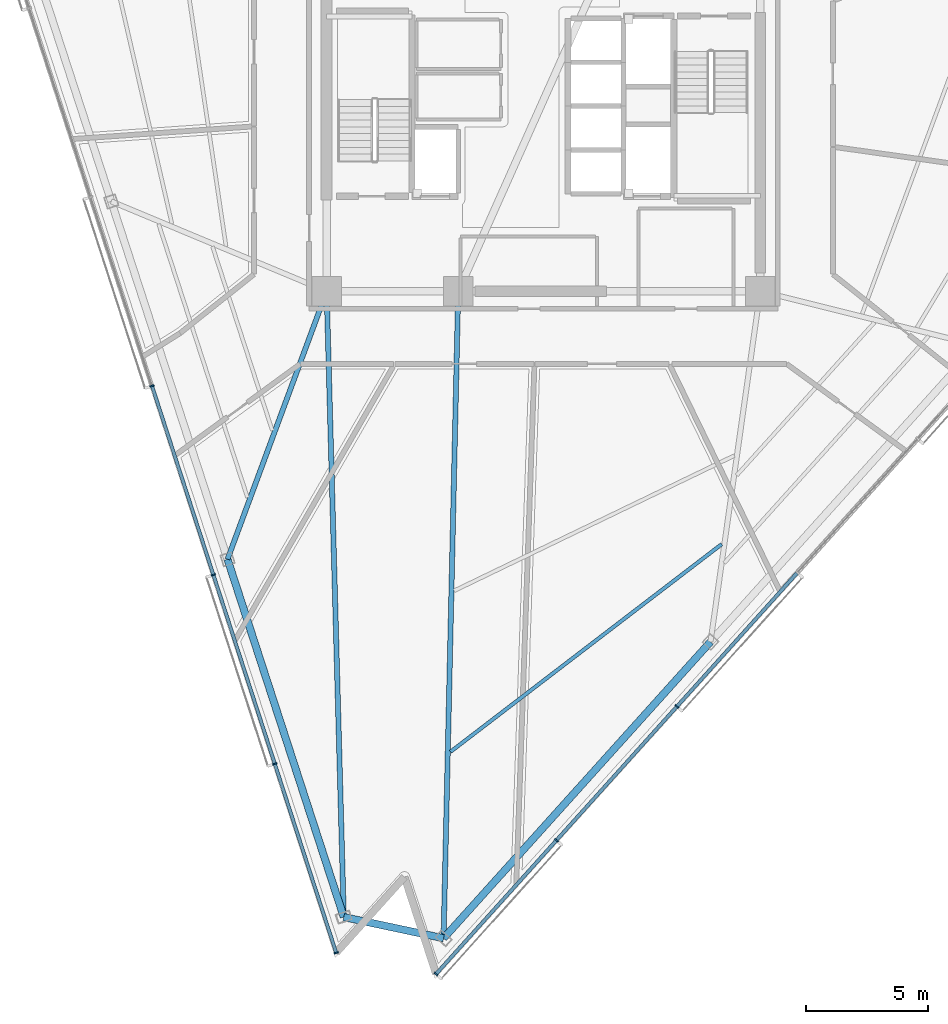
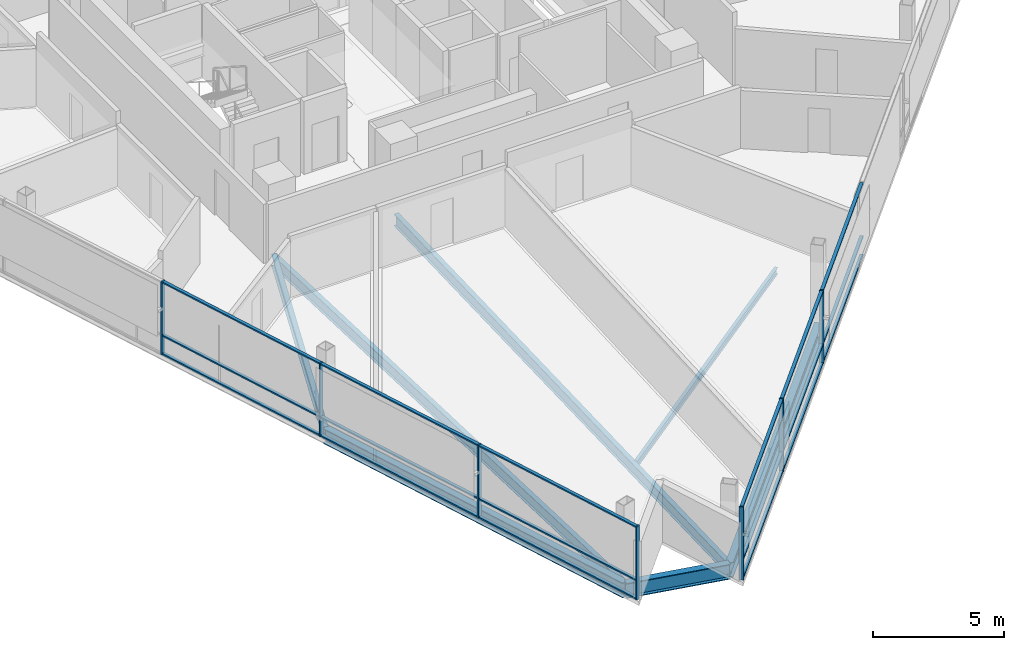
# One storey, part 2 of 17: 25 members, 7 beams, 2 elements without a shape of their own.
"""IFC4 building model written with IfcOpenShell, lengths in metres."""

from ifc_helpers import new_model, si_unit, direction, frame, origin, origin_2d, place, context, subcontext, project, spatial, rectangle, i_section, extrude, material, layer, layer_set, material_profile, profile_set, type_object, element, aggregate, save


model = new_model("IFC4")

# Units and contexts
model_context = context("Model", 3, precision=1e-05, world=origin(), true_north=direction((0.0, 1.0)))
body_context = subcontext(model_context, "Body", "Model", "MODEL_VIEW")
ifc_project = project(units=[si_unit("LENGTHUNIT", "METRE"), si_unit("AREAUNIT", "SQUARE_METRE"), si_unit("VOLUMEUNIT", "CUBIC_METRE"), si_unit("PLANEANGLEUNIT", "RADIAN"), si_unit("MASSUNIT", "GRAM", prefix="KILO")], contexts=[model_context])

# Site, building, storey
site_placement = place(None, origin())
site = spatial("IfcSite", under=ifc_project, at=site_placement, CompositionType="ELEMENT")
building_placement = place(site_placement, origin())
building = spatial("IfcBuilding", under=site, at=building_placement, Name="Tharavind Bronze Gate", CompositionType="ELEMENT")
storey_placement = place(building_placement, frame((0.0, 0.0, 214.85009765625)))
storey = spatial("IfcBuildingStorey", under=building, at=storey_placement, Name="L55", CompositionType="ELEMENT", Elevation=214.85009765625)

# Curtain wall, members
ifc_material_1 = material(Name="Anodised Bronze Aluminium", Category="aluminium")
ifc_layer = layer(ifc_material_1, 0.219970703125)
ifc_layer_set = layer_set([ifc_layer], Name="Anodised Bronze Aluminium")
curtain_wall_type = type_object("IfcCurtainWallType", Name="UNITISED CURTAIN WALL MID OFFICE", PredefinedType="USERDEFINED", material=ifc_layer_set)
curtain_wall_1_placement = place(storey_placement, origin())
curtain_wall_1 = element("IfcCurtainWall", 1, at=curtain_wall_1_placement, inside=storey, type_object=curtain_wall_type, Name="L55 unitised curtain wall mid office CW-L55-S1", ObjectType="UNITISED CURTAIN WALL", PredefinedType="USERDEFINED")
member_type_1 = type_object("IfcMemberType", Name="CURTAIN WALL BRONZE MULLION 65X180", PredefinedType="MULLION", material=ifc_material_1)
member_1_placement = place(storey_placement, frame((-16.0693359375, -11.489013671875, 0.0), z_axis=(0.0, 0.0, 1.0), x_axis=(0.309016994375, -0.951056516295, 0.0)))
member_1 = element("IfcMember", 2, at=member_1_placement, type_object=member_type_1, Name="CW-L55-S1 mullion 4", PredefinedType="MULLION", context=body_context, shape_type="SweptSolid", body=[
    extrude(rectangle(XDim=0.06494140625, YDim=0.179931640625, at=origin_2d()), origin(), (0.0, 0.0, 1.0), 3.419921875),
])
member_2_placement = place(storey_placement, frame((-13.54931640625, -19.24560546875, 0.0), z_axis=(0.0, 0.0, 1.0), x_axis=(0.309016994375, -0.951056516295, 0.0)))
member_2 = element("IfcMember", 3, at=member_2_placement, type_object=member_type_1, Name="CW-L55-S1 mullion 5", PredefinedType="MULLION", context=body_context, shape_type="SweptSolid", body=[
    extrude(rectangle(XDim=0.06494140625, YDim=0.179931640625, at=origin_2d()), origin(), (0.0, 0.0, 1.0), 3.419921875),
])
member_3_placement = place(storey_placement, frame((-11.029052734375, -27.002197265625, 0.0), z_axis=(0.0, 0.0, 1.0), x_axis=(0.309016994375, -0.951056516295, 0.0)))
member_3 = element("IfcMember", 4, at=member_3_placement, type_object=member_type_1, Name="CW-L55-S1 mullion 6", PredefinedType="MULLION", context=body_context, shape_type="SweptSolid", body=[
    extrude(rectangle(XDim=0.06494140625, YDim=0.179931640625, at=origin_2d()), origin(), (0.0, 0.0, 1.0), 3.419921875),
])
member_4_placement = place(storey_placement, frame((-8.5087890625, -34.7587890625, 0.0), z_axis=(0.0, 0.0, 1.0), x_axis=(0.309016994375, -0.951056516295, 0.0)))
member_4 = element("IfcMember", 5, at=member_4_placement, type_object=member_type_1, Name="CW-L55-S1 mullion 7", PredefinedType="MULLION", context=body_context, shape_type="SweptSolid", body=[
    extrude(rectangle(XDim=0.06494140625, YDim=0.179931640625, at=origin_2d()), origin(), (0.0, 0.0, 1.0), 3.419921875),
])

curtain_wall_2_placement = place(storey_placement, origin())
curtain_wall_2 = element("IfcCurtainWall", 6, at=curtain_wall_2_placement, inside=storey, type_object=curtain_wall_type, Name="L55 unitised curtain wall mid office CW-L55-S2", ObjectType="UNITISED CURTAIN WALL", PredefinedType="USERDEFINED")
member_5_placement = place(storey_placement, frame((-4.412109375, -35.62939453125, 0.0), z_axis=(0.0, 0.0, 1.0), x_axis=(0.669130606359, 0.743144825477, 0.0)))
member_5 = element("IfcMember", 7, at=member_5_placement, type_object=member_type_1, Name="CW-L55-S2 mullion 1", PredefinedType="MULLION", context=body_context, shape_type="SweptSolid", body=[
    extrude(rectangle(XDim=0.06494140625, YDim=0.179931640625, at=origin_2d()), origin(), (0.0, 0.0, 1.0), 3.419921875),
])
member_6_placement = place(storey_placement, frame((0.5322265625, -30.13818359375, 0.0), z_axis=(0.0, 0.0, 1.0), x_axis=(0.669130606359, 0.743144825477, 0.0)))
member_6 = element("IfcMember", 8, at=member_6_placement, type_object=member_type_1, Name="CW-L55-S2 mullion 2", PredefinedType="MULLION", context=body_context, shape_type="SweptSolid", body=[
    extrude(rectangle(XDim=0.06494140625, YDim=0.179931640625, at=origin_2d()), origin(), (0.0, 0.0, 1.0), 3.419921875),
])
member_7_placement = place(storey_placement, frame((5.476806640625, -24.646484375, 0.0), z_axis=(0.0, 0.0, 1.0), x_axis=(0.669130606359, 0.743144825477, 0.0)))
member_7 = element("IfcMember", 9, at=member_7_placement, type_object=member_type_1, Name="CW-L55-S2 mullion 3", PredefinedType="MULLION", context=body_context, shape_type="SweptSolid", body=[
    extrude(rectangle(XDim=0.06494140625, YDim=0.179931640625, at=origin_2d()), origin(), (0.0, 0.0, 1.0), 3.419921875),
])

# Member
member_type_2 = type_object("IfcMemberType", Name="CURTAIN WALL BRONZE TRANSOM 65X140", PredefinedType="USERDEFINED", material=ifc_material_1)
member_8_placement = place(storey_placement, frame((-14.809326171875, -15.367431640625, 0.0), z_axis=(0.0, 0.0, 1.0), x_axis=(0.309016994375, -0.951056516295, 0.0)))
member_8 = element("IfcMember", 10, at=member_8_placement, type_object=member_type_2, Name="CW-L55-S1 transom TB4", ObjectType="TRANSOM", PredefinedType="USERDEFINED", context=body_context, shape_type="SweptSolid", body=[
    extrude(rectangle(XDim=8.102783203125, YDim=0.139892578125, at=origin_2d()), origin(), (0.0, 0.0, 1.0), 0.06494140625),
])

member_9_placement = place(storey_placement, frame((-14.809326171875, -15.367431640625, 0.867431640625), z_axis=(0.0, 0.0, 1.0), x_axis=(0.309016994375, -0.951056516295, 0.0)))
member_9 = element("IfcMember", 11, at=member_9_placement, type_object=member_type_2, Name="CW-L55-S1 transom TS4", ObjectType="TRANSOM", PredefinedType="USERDEFINED", context=body_context, shape_type="SweptSolid", body=[
    extrude(rectangle(XDim=8.102783203125, YDim=0.139892578125, at=origin_2d()), origin(), (0.0, 0.0, 1.0), 0.06494140625),
])

member_10_placement = place(storey_placement, frame((-14.809326171875, -15.367431640625, 3.35498046875), z_axis=(0.0, 0.0, 1.0), x_axis=(0.309016994375, -0.951056516295, 0.0)))
member_10 = element("IfcMember", 12, at=member_10_placement, type_object=member_type_2, Name="CW-L55-S1 transom TT4", ObjectType="TRANSOM", PredefinedType="USERDEFINED", context=body_context, shape_type="SweptSolid", body=[
    extrude(rectangle(XDim=8.102783203125, YDim=0.139892578125, at=origin_2d()), origin(), (0.0, 0.0, 1.0), 0.06494140625),
])

member_11_placement = place(storey_placement, frame((-12.2890625, -23.123779296875, 0.0), z_axis=(0.0, 0.0, 1.0), x_axis=(0.309016994375, -0.951056516295, 0.0)))
member_11 = element("IfcMember", 13, at=member_11_placement, type_object=member_type_2, Name="CW-L55-S1 transom TB5", ObjectType="TRANSOM", PredefinedType="USERDEFINED", context=body_context, shape_type="SweptSolid", body=[
    extrude(rectangle(XDim=8.102783203125, YDim=0.139892578125, at=origin_2d()), origin(), (0.0, 0.0, 1.0), 0.06494140625),
])

member_12_placement = place(storey_placement, frame((-12.2890625, -23.123779296875, 0.867431640625), z_axis=(0.0, 0.0, 1.0), x_axis=(0.309016994375, -0.951056516295, 0.0)))
member_12 = element("IfcMember", 14, at=member_12_placement, type_object=member_type_2, Name="CW-L55-S1 transom TS5", ObjectType="TRANSOM", PredefinedType="USERDEFINED", context=body_context, shape_type="SweptSolid", body=[
    extrude(rectangle(XDim=8.102783203125, YDim=0.139892578125, at=origin_2d()), origin(), (0.0, 0.0, 1.0), 0.06494140625),
])

member_13_placement = place(storey_placement, frame((-12.2890625, -23.123779296875, 3.35498046875), z_axis=(0.0, 0.0, 1.0), x_axis=(0.309016994375, -0.951056516295, 0.0)))
member_13 = element("IfcMember", 15, at=member_13_placement, type_object=member_type_2, Name="CW-L55-S1 transom TT5", ObjectType="TRANSOM", PredefinedType="USERDEFINED", context=body_context, shape_type="SweptSolid", body=[
    extrude(rectangle(XDim=8.102783203125, YDim=0.139892578125, at=origin_2d()), origin(), (0.0, 0.0, 1.0), 0.06494140625),
])

member_14_placement = place(storey_placement, frame((-9.768798828125, -30.88037109375, 0.0), z_axis=(0.0, 0.0, 1.0), x_axis=(0.309016994375, -0.951056516295, 0.0)))
member_14 = element("IfcMember", 16, at=member_14_placement, type_object=member_type_2, Name="CW-L55-S1 transom TB6", ObjectType="TRANSOM", PredefinedType="USERDEFINED", context=body_context, shape_type="SweptSolid", body=[
    extrude(rectangle(XDim=8.102783203125, YDim=0.139892578125, at=origin_2d()), origin(), (0.0, 0.0, 1.0), 0.06494140625),
])

member_15_placement = place(storey_placement, frame((-9.768798828125, -30.88037109375, 0.867431640625), z_axis=(0.0, 0.0, 1.0), x_axis=(0.309016994375, -0.951056516295, 0.0)))
member_15 = element("IfcMember", 17, at=member_15_placement, type_object=member_type_2, Name="CW-L55-S1 transom TS6", ObjectType="TRANSOM", PredefinedType="USERDEFINED", context=body_context, shape_type="SweptSolid", body=[
    extrude(rectangle(XDim=8.102783203125, YDim=0.139892578125, at=origin_2d()), origin(), (0.0, 0.0, 1.0), 0.06494140625),
])

member_16_placement = place(storey_placement, frame((-9.768798828125, -30.88037109375, 3.35498046875), z_axis=(0.0, 0.0, 1.0), x_axis=(0.309016994375, -0.951056516295, 0.0)))
member_16 = element("IfcMember", 18, at=member_16_placement, type_object=member_type_2, Name="CW-L55-S1 transom TT6", ObjectType="TRANSOM", PredefinedType="USERDEFINED", context=body_context, shape_type="SweptSolid", body=[
    extrude(rectangle(XDim=8.102783203125, YDim=0.139892578125, at=origin_2d()), origin(), (0.0, 0.0, 1.0), 0.06494140625),
])

aggregate(curtain_wall_1, [member_1, member_2, member_3, member_4, member_8, member_9, member_10, member_11, member_12, member_13, member_14, member_15, member_16])

member_17_placement = place(storey_placement, frame((-1.93994140625, -32.8837890625, 0.0), z_axis=(0.0, 0.0, 1.0), x_axis=(0.669130606359, 0.743144825477, 0.0)))
member_17 = element("IfcMember", 19, at=member_17_placement, type_object=member_type_2, Name="CW-L55-S2 transom TB1", ObjectType="TRANSOM", PredefinedType="USERDEFINED", context=body_context, shape_type="SweptSolid", body=[
    extrude(rectangle(XDim=7.33642578125, YDim=0.139892578125, at=origin_2d()), origin(), (0.0, 0.0, 1.0), 0.06494140625),
])

member_18_placement = place(storey_placement, frame((-1.93994140625, -32.8837890625, 0.867431640625), z_axis=(0.0, 0.0, 1.0), x_axis=(0.669130606359, 0.743144825477, 0.0)))
member_18 = element("IfcMember", 20, at=member_18_placement, type_object=member_type_2, Name="CW-L55-S2 transom TS1", ObjectType="TRANSOM", PredefinedType="USERDEFINED", context=body_context, shape_type="SweptSolid", body=[
    extrude(rectangle(XDim=7.33642578125, YDim=0.139892578125, at=origin_2d()), origin(), (0.0, 0.0, 1.0), 0.06494140625),
])

member_19_placement = place(storey_placement, frame((-1.93994140625, -32.8837890625, 3.35498046875), z_axis=(0.0, 0.0, 1.0), x_axis=(0.669130606359, 0.743144825477, 0.0)))
member_19 = element("IfcMember", 21, at=member_19_placement, type_object=member_type_2, Name="CW-L55-S2 transom TT1", ObjectType="TRANSOM", PredefinedType="USERDEFINED", context=body_context, shape_type="SweptSolid", body=[
    extrude(rectangle(XDim=7.33642578125, YDim=0.139892578125, at=origin_2d()), origin(), (0.0, 0.0, 1.0), 0.06494140625),
])

member_20_placement = place(storey_placement, frame((3.004638671875, -27.392333984375, 0.0), z_axis=(0.0, 0.0, 1.0), x_axis=(0.669130606359, 0.743144825477, 0.0)))
member_20 = element("IfcMember", 22, at=member_20_placement, type_object=member_type_2, Name="CW-L55-S2 transom TB2", ObjectType="TRANSOM", PredefinedType="USERDEFINED", context=body_context, shape_type="SweptSolid", body=[
    extrude(rectangle(XDim=7.33642578125, YDim=0.139892578125, at=origin_2d()), origin(), (0.0, 0.0, 1.0), 0.06494140625),
])

member_21_placement = place(storey_placement, frame((3.004638671875, -27.392333984375, 0.867431640625), z_axis=(0.0, 0.0, 1.0), x_axis=(0.669130606359, 0.743144825477, 0.0)))
member_21 = element("IfcMember", 23, at=member_21_placement, type_object=member_type_2, Name="CW-L55-S2 transom TS2", ObjectType="TRANSOM", PredefinedType="USERDEFINED", context=body_context, shape_type="SweptSolid", body=[
    extrude(rectangle(XDim=7.33642578125, YDim=0.139892578125, at=origin_2d()), origin(), (0.0, 0.0, 1.0), 0.06494140625),
])

member_22_placement = place(storey_placement, frame((3.004638671875, -27.392333984375, 3.35498046875), z_axis=(0.0, 0.0, 1.0), x_axis=(0.669130606359, 0.743144825477, 0.0)))
member_22 = element("IfcMember", 24, at=member_22_placement, type_object=member_type_2, Name="CW-L55-S2 transom TT2", ObjectType="TRANSOM", PredefinedType="USERDEFINED", context=body_context, shape_type="SweptSolid", body=[
    extrude(rectangle(XDim=7.33642578125, YDim=0.139892578125, at=origin_2d()), origin(), (0.0, 0.0, 1.0), 0.06494140625),
])

member_23_placement = place(storey_placement, frame((7.94921875, -21.90087890625, 0.0), z_axis=(0.0, 0.0, 1.0), x_axis=(0.669130606359, 0.743144825477, 0.0)))
member_23 = element("IfcMember", 25, at=member_23_placement, type_object=member_type_2, Name="CW-L55-S2 transom TB3", ObjectType="TRANSOM", PredefinedType="USERDEFINED", context=body_context, shape_type="SweptSolid", body=[
    extrude(rectangle(XDim=7.33642578125, YDim=0.139892578125, at=origin_2d()), origin(), (0.0, 0.0, 1.0), 0.06494140625),
])

member_24_placement = place(storey_placement, frame((7.94921875, -21.90087890625, 0.867431640625), z_axis=(0.0, 0.0, 1.0), x_axis=(0.669130606359, 0.743144825477, 0.0)))
member_24 = element("IfcMember", 26, at=member_24_placement, type_object=member_type_2, Name="CW-L55-S2 transom TS3", ObjectType="TRANSOM", PredefinedType="USERDEFINED", context=body_context, shape_type="SweptSolid", body=[
    extrude(rectangle(XDim=7.33642578125, YDim=0.139892578125, at=origin_2d()), origin(), (0.0, 0.0, 1.0), 0.06494140625),
])

member_25_placement = place(storey_placement, frame((7.94921875, -21.90087890625, 3.35498046875), z_axis=(0.0, 0.0, 1.0), x_axis=(0.669130606359, 0.743144825477, 0.0)))
member_25 = element("IfcMember", 27, at=member_25_placement, type_object=member_type_2, Name="CW-L55-S2 transom TT3", ObjectType="TRANSOM", PredefinedType="USERDEFINED", context=body_context, shape_type="SweptSolid", body=[
    extrude(rectangle(XDim=7.33642578125, YDim=0.139892578125, at=origin_2d()), origin(), (0.0, 0.0, 1.0), 0.06494140625),
])

aggregate(curtain_wall_2, [member_5, member_6, member_7, member_17, member_18, member_19, member_20, member_21, member_22, member_23, member_24, member_25])

# Beams
ifc_material_2 = material(Name="Steel S355", Category="steel")
ifc_material_profile_1 = material_profile(ifc_material_2, i_section(OverallWidth=0.2099609375, OverallDepth=0.550048828125, WebThickness=0.010986328125, FlangeThickness=0.01708984375, at=origin_2d()), Name="IPE550")
ifc_profile_set_1 = profile_set([ifc_material_profile_1], Name="Steel S355")
beam_type_1 = type_object("IfcBeamType", Name="PRIMARY GIRDER IPE550", PredefinedType="USERDEFINED", material=ifc_profile_set_1)
beam_1_placement = place(storey_placement, frame((-12.9697265625, -18.60205078125, -0.455078125), z_axis=(0.34694151405, 0.937886765995, 0.0), x_axis=(-0.937886765995, 0.34694151405, 0.0)))
element("IfcBeam", 28, at=beam_1_placement, inside=storey, type_object=beam_type_1, Name="L55 primary girder ipe550 BM-L55-RAD03", ObjectType="GIRDER", PredefinedType="USERDEFINED", context=body_context, shape_type="SweptSolid", body=[
    extrude(i_section(OverallWidth=0.2099609375, OverallDepth=0.550048828125, WebThickness=0.010986328125, FlangeThickness=0.01708984375, at=origin_2d()), origin(), (0.0, 0.0, 1.0), 11.73046875),
])
beam_2_placement = place(storey_placement, frame((-8.197021484375, -33.29150390625, -0.455078125), z_axis=(-0.027348365031, 0.999625963513, 0.0), x_axis=(-0.999625963513, -0.027348365031, 0.0)))
element("IfcBeam", 29, at=beam_2_placement, inside=storey, type_object=beam_type_1, Name="L55 primary girder ipe550 BM-L55-RAD04", ObjectType="GIRDER", PredefinedType="USERDEFINED", context=body_context, shape_type="SweptSolid", body=[
    extrude(i_section(OverallWidth=0.2099609375, OverallDepth=0.550048828125, WebThickness=0.010986328125, FlangeThickness=0.01708984375, at=origin_2d()), origin(), (0.0, 0.0, 1.0), 25.700927734375),
])
beam_3_placement = place(storey_placement, frame((-4.100341796875, -34.162353515625, -0.455078125), z_axis=(0.022595540292, 0.999744688187, 0.0), x_axis=(-0.999744688187, 0.022595540292, 0.0)))
element("IfcBeam", 30, at=beam_3_placement, inside=storey, type_object=beam_type_1, Name="L55 primary girder ipe550 BM-L55-RAD05", ObjectType="GIRDER", PredefinedType="USERDEFINED", context=body_context, shape_type="SweptSolid", body=[
    extrude(i_section(OverallWidth=0.2099609375, OverallDepth=0.550048828125, WebThickness=0.010986328125, FlangeThickness=0.01708984375, at=origin_2d()), origin(), (0.0, 0.0, 1.0), 26.569091796875),
])
ifc_material_profile_2 = material_profile(ifc_material_2, i_section(OverallWidth=0.300048828125, OverallDepth=0.699951171875, WebThickness=0.01708984375, FlangeThickness=0.031982421875, at=origin_2d()), Name="HE700B")
ifc_profile_set_2 = profile_set([ifc_material_profile_2], Name="Steel S355")
beam_type_2 = type_object("IfcBeamType", Name="RING GIRDER HE700B", PredefinedType="USERDEFINED", material=ifc_profile_set_2)
beam_4_placement = place(storey_placement, frame((-12.9697265625, -18.60205078125, -0.530029296875), z_axis=(0.309006009957, -0.951060085279, 0.0), x_axis=(0.951060085279, 0.309006009957, 0.0)))
element("IfcBeam", 31, at=beam_4_placement, inside=storey, type_object=beam_type_2, Name="L55 ring girder he700b BM-L55-PRG03", ObjectType="GIRDER", PredefinedType="USERDEFINED", context=body_context, shape_type="SweptSolid", body=[
    extrude(i_section(OverallWidth=0.300048828125, OverallDepth=0.699951171875, WebThickness=0.01708984375, FlangeThickness=0.031982421875, at=origin_2d()), origin(), (0.0, 0.0, 1.0), 15.4453125),
])
beam_5_placement = place(storey_placement, frame((-8.197021484375, -33.29150390625, -0.530029296875), z_axis=(0.978144033538, -0.207928472445, 0.0), x_axis=(0.207928472445, 0.978144033538, 0.0)))
element("IfcBeam", 32, at=beam_5_placement, inside=storey, type_object=beam_type_2, Name="L55 ring girder he700b BM-L55-PRG04", ObjectType="GIRDER", PredefinedType="USERDEFINED", context=body_context, shape_type="SweptSolid", body=[
    extrude(i_section(OverallWidth=0.300048828125, OverallDepth=0.699951171875, WebThickness=0.01708984375, FlangeThickness=0.031982421875, at=origin_2d()), origin(), (0.0, 0.0, 1.0), 4.188232421875),
])
beam_6_placement = place(storey_placement, frame((-4.100341796875, -34.162353515625, -0.530029296875), z_axis=(0.669127800443, 0.743147351926, 0.0), x_axis=(-0.743147351926, 0.669127800443, 0.0)))
element("IfcBeam", 33, at=beam_6_placement, inside=storey, type_object=beam_type_2, Name="L55 ring girder he700b BM-L55-PRG05", ObjectType="GIRDER", PredefinedType="USERDEFINED", context=body_context, shape_type="SweptSolid", body=[
    extrude(i_section(OverallWidth=0.300048828125, OverallDepth=0.699951171875, WebThickness=0.01708984375, FlangeThickness=0.031982421875, at=origin_2d()), origin(), (0.0, 0.0, 1.0), 16.376220703125),
])
ifc_material_profile_3 = material_profile(ifc_material_2, i_section(OverallWidth=0.14990234375, OverallDepth=0.300048828125, WebThickness=0.007080078125, FlangeThickness=0.0107421875, at=origin_2d()), Name="IPE300")
ifc_profile_set_3 = profile_set([ifc_material_profile_3], Name="Steel S355")
beam_type_3 = type_object("IfcBeamType", Name="SECONDARY FLOOR JOIST IPE300", PredefinedType="JOIST", material=ifc_profile_set_3)
beam_7_placement = place(storey_placement, frame((-3.819091796875, -26.5078125, -0.330078125), z_axis=(0.794097846092, 0.607789939726, 0.0), x_axis=(-0.607789939726, 0.794097846092, 0.0)))
element("IfcBeam", 34, at=beam_7_placement, inside=storey, type_object=beam_type_3, Name="L55 secondary floor joist ipe300 BM-L55-JSTB05", PredefinedType="JOIST", context=body_context, shape_type="SweptSolid", body=[
    extrude(i_section(OverallWidth=0.14990234375, OverallDepth=0.300048828125, WebThickness=0.007080078125, FlangeThickness=0.0107421875, at=origin_2d()), origin(), (0.0, 0.0, 1.0), 14.024169921875),
])

save(model, "model.ifc")
